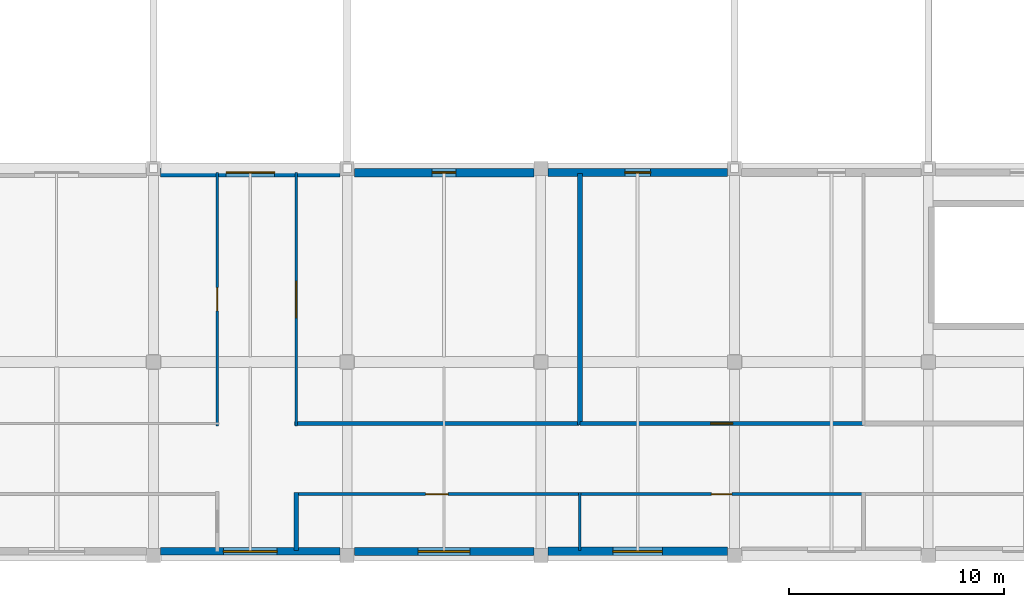
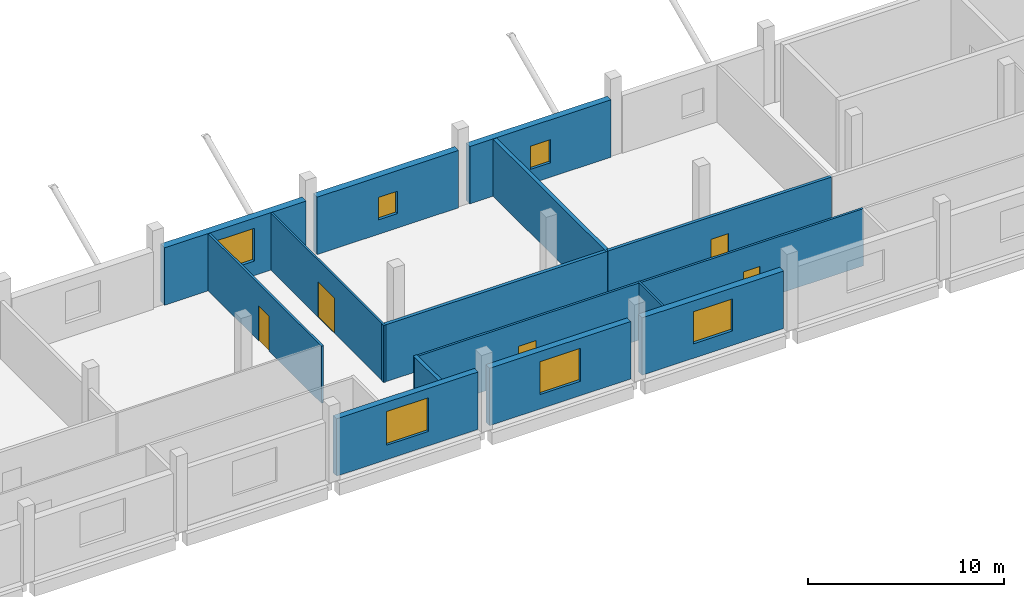
# One storey, part 49 of 82: 15 walls, 6 windows, 5 doors, 11 openings.
"""IFC4 building model written with IfcOpenShell, lengths in metres."""

import ifcopenshell
import ifcopenshell.guid

model = None  # the IFC model being written
_history = None  # IfcOwnerHistory: only IFC2X3 demands one
_inside = {}  # id of a spatial element -> (the spatial element, [elements in it])
_under = {}  # id of a project, library or spatial element -> (it, [spatial elements below it])
_declared = {}  # id of a project -> (the project, [libraries it declares])
_typed = {}  # id of a type object -> (the type object, [elements of that type])
_made_of = {}  # id of a material, layer set ... -> (it, [elements and type objects made of it])


def new_model(schema):
    """Start an empty IFC model of exactly this schema.

    Asked for "IFC4X3", IfcOpenShell would pick the latest addendum, in which some entities
    have other attributes; the version numbers below select the first issue.
    IFC2X3 requires an IfcOwnerHistory on every rooted entity: one is made here for all.
    """
    global model, _history
    if schema == "IFC4X3":
        model = ifcopenshell.file(schema_version=(4, 3, 0, 0))
    else:
        model = ifcopenshell.file(schema=schema)
    _inside.clear()
    _under.clear()
    _declared.clear()
    _typed.clear()
    _made_of.clear()
    _history = None
    if model.schema == "IFC2X3":
        org = make("IfcOrganization", Name="unknown")
        user = make(
            "IfcPersonAndOrganization",
            ThePerson=make("IfcPerson", FamilyName="unknown"),
            TheOrganization=org,
        )
        app = make(
            "IfcApplication",
            ApplicationDeveloper=org,
            Version="unknown",
            ApplicationFullName="unknown",
            ApplicationIdentifier="unknown",
        )
        _history = make(
            "IfcOwnerHistory",
            OwningUser=user,
            OwningApplication=app,
            ChangeAction="ADDED",
            CreationDate=0,
        )
    return model


def make(cls, **values):
    """One entity of the class cls with the attributes given. An attribute that is None is left unset."""
    return model.create_entity(
        cls, **{name: value for name, value in values.items() if value is not None}
    )


def rooted(cls, **values):
    """An entity with a GlobalId (a new one), such as an element, a storey or a relation."""
    return make(cls, GlobalId=ifcopenshell.guid.new(), OwnerHistory=_history, **values)


def si_unit(unit_type, name, prefix=None):
    """IfcSIUnit, for example si_unit("LENGTHUNIT", "METRE", prefix="MILLI")."""
    return make("IfcSIUnit", UnitType=unit_type, Prefix=prefix, Name=name)


def assignment(units):
    """IfcUnitAssignment: the units of a project."""
    return None if units is None else make("IfcUnitAssignment", Units=units)


def point(xyz):
    """IfcCartesianPoint."""
    return None if xyz is None else make("IfcCartesianPoint", Coordinates=xyz)


def direction(xyz):
    """IfcDirection."""
    return None if xyz is None else make("IfcDirection", DirectionRatios=xyz)


def frame(location, z_axis=None, x_axis=None):
    """IfcAxis2Placement3D, a coordinate frame: its origin and axes. An axis left out is left unset."""
    return make(
        "IfcAxis2Placement3D",
        Location=point(location),
        Axis=direction(z_axis),
        RefDirection=direction(x_axis),
    )


def frame_2d(location, x_axis=None):
    """IfcAxis2Placement2D, a coordinate frame in the plane: its origin and x axis."""
    return make(
        "IfcAxis2Placement2D", Location=point(location), RefDirection=direction(x_axis)
    )


def origin():
    """The frame at (0, 0, 0) with its axes left unset."""
    return frame((0.0, 0.0, 0.0))


def place(relative_to, where):
    """IfcLocalPlacement: puts the frame where relative to a parent placement (None: the world)."""
    return make(
        "IfcLocalPlacement", PlacementRelTo=relative_to, RelativePlacement=where
    )


def context(
    kind, dimensions, precision=None, world=None, true_north=None, identifier=None
):
    """IfcGeometricRepresentationContext, for example the 3D "Model" context."""
    return make(
        "IfcGeometricRepresentationContext",
        ContextIdentifier=identifier,
        ContextType=kind,
        CoordinateSpaceDimension=dimensions,
        Precision=precision,
        WorldCoordinateSystem=world,
        TrueNorth=true_north,
    )


def subcontext(parent, identifier, kind, view, scale=None):
    """IfcGeometricRepresentationSubContext, for example "Body" below "Model"."""
    return make(
        "IfcGeometricRepresentationSubContext",
        ContextIdentifier=identifier,
        ContextType=kind,
        ParentContext=parent,
        TargetScale=scale,
        TargetView=view,
    )


def project(units=None, contexts=None):
    """IfcProject with its units and contexts."""
    return rooted(
        "IfcProject",
        Name="project",
        RepresentationContexts=contexts,
        UnitsInContext=assignment(units),
    )


def spatial(cls, under=None, at=None, **own):
    """A site, building, storey or space (cls), placed at a placement, below another one or the project."""
    s = rooted(cls, ObjectPlacement=at, **own)
    if under is not None:
        _under.setdefault(under.id(), (under, []))[1].append(s)
    return s


def profile(cls, at=None, kind="AREA", **sizes):
    """A parametric profile (cls). Its sizes go by their IFC names, for example OverallWidth=200.0."""
    return make(cls, ProfileType=kind, Position=at, **sizes)


def rectangle(**sizes):
    """IfcRectangleProfileDef."""
    return profile("IfcRectangleProfileDef", **sizes)


def extrude(swept, where, along, depth):
    """IfcExtrudedAreaSolid: the profile swept, set in the frame where, extruded along a direction by depth."""
    return make(
        "IfcExtrudedAreaSolid",
        SweptArea=swept,
        Position=where,
        ExtrudedDirection=direction(along),
        Depth=depth,
    )


def shape(context_of_items, identifier, shape_type, items):
    """IfcShapeRepresentation: the items that make up one representation, for example the "Body"."""
    return make(
        "IfcShapeRepresentation",
        ContextOfItems=context_of_items,
        RepresentationIdentifier=identifier,
        RepresentationType=shape_type,
        Items=items,
    )


def material(Name=None, Category=None):
    """IfcMaterial."""
    return make("IfcMaterial", Name=Name, Category=Category)


def layer(
    of_material, thickness, ventilated=None, Name=None, Category=None, Priority=None
):
    """IfcMaterialLayer: one layer of a wall or slab, of a material (None: an air gap)."""
    return make(
        "IfcMaterialLayer",
        Material=of_material,
        LayerThickness=thickness,
        IsVentilated=ventilated,
        Name=Name,
        Category=Category,
        Priority=Priority,
    )


def layer_set(layers, Name=None):
    """IfcMaterialLayerSet."""
    return make("IfcMaterialLayerSet", MaterialLayers=layers, LayerSetName=Name)


def made_of(thing, what):
    """Note that an element or type object is made of a material, layer set ...; save() writes the relation."""
    if what is not None:
        _made_of.setdefault(what.id(), (what, []))[1].append(thing)
    return thing


def type_object(cls, material=None, **own):
    """A type object (cls), such as IfcWallType, which elements share."""
    return made_of(rooted(cls, **own), material)


def element(
    cls,
    number,
    at=None,
    inside=None,
    cuts=None,
    type_object=None,
    material=None,
    context=None,
    identifier="Body",
    shape_type=None,
    held_by="IfcProductDefinitionShape",
    body=None,
    shapes=None,
    **own,
):
    """One element of the class cls, such as IfcWall. Its Tag is "e" and its number.

    at: its placement. inside: the storey or other place that contains it. cuts: it is an
    opening in that element (IfcRelVoidsElement). A single representation is given by context,
    identifier, shape_type and body (its items); several are given by shapes. held_by: the class
    of the entity that holds the representations. save() writes the other relations.
    """
    e = rooted(cls, Tag="e%d" % number, ObjectPlacement=at, **own)
    if body is not None:
        shapes = [shape(context, identifier, shape_type, body)]
    if shapes is not None:
        e.Representation = make(held_by, Representations=shapes)
    if inside is not None:
        _inside.setdefault(inside.id(), (inside, []))[1].append(e)
    if cuts is not None:
        rooted(
            "IfcRelVoidsElement", RelatingBuildingElement=cuts, RelatedOpeningElement=e
        )
    if type_object is not None:
        _typed.setdefault(type_object.id(), (type_object, []))[1].append(e)
    return made_of(e, material)


def fill(opening, filler):
    """IfcRelFillsElement: the door or window that sits in an opening."""
    return rooted(
        "IfcRelFillsElement",
        RelatingOpeningElement=opening,
        RelatedBuildingElement=filler,
    )


def aggregate(whole, parts):
    """IfcRelAggregates: a whole, such as a stair, and the parts it consists of."""
    return rooted("IfcRelAggregates", RelatingObject=whole, RelatedObjects=parts)


def save(model, path):
    """Write the relations noted so far, then the file.

    IfcRelAggregates (storeys below a building ...), IfcRelContainedInSpatialStructure (elements
    in a storey), IfcRelDefinesByType, IfcRelAssociatesMaterial and IfcRelDeclares: one each for
    every whole, place, type object, material and project.
    """
    for whole, parts in _under.values():
        aggregate(whole, parts)
    for where, things in _inside.values():
        rooted(
            "IfcRelContainedInSpatialStructure",
            RelatedElements=things,
            RelatingStructure=where,
        )
    for kind, things in _typed.values():
        rooted("IfcRelDefinesByType", RelatedObjects=things, RelatingType=kind)
    for what, things in _made_of.values():
        rooted("IfcRelAssociatesMaterial", RelatedObjects=things, RelatingMaterial=what)
    for by, libraries in _declared.values():
        rooted("IfcRelDeclares", RelatingContext=by, RelatedDefinitions=libraries)
    model.write(path)


model = new_model("IFC4")

# Units and contexts
model_context = context("Model", 3, precision=1e-05, world=origin(), true_north=direction((0.0, 1.0)))
body_context = subcontext(model_context, "Body", "Model", "MODEL_VIEW")
ifc_project = project(units=[si_unit("LENGTHUNIT", "METRE"), si_unit("AREAUNIT", "SQUARE_METRE"), si_unit("VOLUMEUNIT", "CUBIC_METRE"), si_unit("PLANEANGLEUNIT", "RADIAN"), si_unit("MASSUNIT", "GRAM", prefix="KILO"), si_unit("THERMODYNAMICTEMPERATUREUNIT", "KELVIN"), si_unit("POWERUNIT", "WATT")], contexts=[model_context])

# Site, building, storey
site_placement = place(None, origin())
site = spatial("IfcSite", under=ifc_project, at=site_placement, CompositionType="ELEMENT")
building_placement = place(site_placement, origin())
building = spatial("IfcBuilding", under=site, at=building_placement, Name="Sindhuravela Promenade Stadium", CompositionType="ELEMENT")
storey_placement = place(building_placement, frame((0.0, 0.0, 14.39990234375)))
storey = spatial("IfcBuildingStorey", under=building, at=storey_placement, Name="L03", CompositionType="ELEMENT", Elevation=14.39990234375)

# Wall, opening, window
ifc_material_1 = material(Name="Terracotta clay brick masonry (15 MPa)", Category="masonry")
ifc_layer_1 = layer(ifc_material_1, 0.360107421875)
ifc_layer_set_1 = layer_set([ifc_layer_1], Name="Terracotta clay brick masonry (15 MPa)")
wall_type_1 = type_object("IfcWallType", Name="EX-WL-BRK360", PredefinedType="SOLIDWALL", material=ifc_layer_set_1)
wall_1_placement = place(storey_placement, frame((107.669921875, 9.199951171875, 0.0), z_axis=(0.0, 0.0, 1.0), x_axis=(-1.0, 0.0, 0.0)))
wall_1 = element("IfcWall", 1, at=wall_1_placement, inside=storey, type_object=wall_type_1, Name="Exterior masonry wall EW05 SOUTH L03", PredefinedType="SOLIDWALL", context=body_context, shape_type="SweptSolid", body=[
    extrude(rectangle(XDim=8.33984375, YDim=0.360107421875, at=frame_2d((4.169921875, 0.0))), origin(), (0.0, 0.0, 1.0), 3.580078125),
])
opening_1_placement = place(wall_1_placement, frame((2.919921875, 0.0, 0.89990234375)))
opening_1 = element("IfcOpeningElement", 2, at=opening_1_placement, cuts=wall_1, Name="Opening W15", PredefinedType="OPENING", context=body_context, shape_type="SweptSolid", body=[
    extrude(rectangle(XDim=2.5, YDim=2.10009765625, at=frame_2d((1.25, 1.050048828125))), frame((0.0, 0.18994140625, 0.0), z_axis=(0.0, -1.0, 0.0), x_axis=(1.0, 0.0, 0.0)), (0.0, 0.0, 1.0), 0.380126953125),
])
ifc_material_2 = material(Name="Tempered laminated low-E glass", Category="glass")
window_type_1 = type_object("IfcWindowType", Name="WN-FAC-2500x2100", PartitioningType="DOUBLE_PANEL_VERTICAL", PredefinedType="WINDOW", material=ifc_material_2)
window_1_placement = place(opening_1_placement, origin())
window_1 = element("IfcWindow", 3, at=window_1_placement, inside=storey, type_object=window_type_1, Name="Window W15 SOUTH L03", OverallHeight=2.10009765625, OverallWidth=2.5, PartitioningType="DOUBLE_PANEL_VERTICAL", PredefinedType="WINDOW", context=body_context, shape_type="SweptSolid", body=[
    extrude(rectangle(XDim=2.5, YDim=2.10009765625, at=frame_2d((1.25, 1.050048828125))), frame((0.0, 0.030029296875, 0.0), z_axis=(0.0, -1.0, 0.0), x_axis=(1.0, 0.0, 0.0)), (0.0, 0.0, 1.0), 0.06005859375),
])
fill(opening_1, window_1)

ifc_layer_2 = layer(ifc_material_1, 0.3798828125)
ifc_layer_set_2 = layer_set([ifc_layer_2], Name="Terracotta clay brick masonry (15 MPa)")
wall_type_2 = type_object("IfcWallType", Name="EX-WL-BRK380", PredefinedType="SOLIDWALL", material=ifc_layer_set_2)
wall_2_placement = place(storey_placement, frame((117.330078125, 26.800048828125, 0.0), z_axis=(0.0, 0.0, 1.0), x_axis=(1.0, 0.0, 0.0)))
wall_2 = element("IfcWall", 4, at=wall_2_placement, inside=storey, type_object=wall_type_2, Name="Exterior masonry wall EW04 SOUTH L03", PredefinedType="SOLIDWALL", context=body_context, shape_type="SweptSolid", body=[
    extrude(rectangle(XDim=8.33984375, YDim=0.3798828125, at=frame_2d((4.169921875, 0.0))), origin(), (0.0, 0.0, 1.0), 3.580078125),
])
opening_2_placement = place(wall_2_placement, frame((3.570068359375, 0.0, 0.89990234375)))
opening_2 = element("IfcOpeningElement", 5, at=opening_2_placement, cuts=wall_2, Name="Opening W02", PredefinedType="OPENING", context=body_context, shape_type="SweptSolid", body=[
    extrude(rectangle(XDim=1.199951171875, YDim=1.449951171875, at=frame_2d((0.60009765625, 0.72509765625))), frame((0.0, 0.199951171875, 0.0), z_axis=(0.0, -1.0, 0.0), x_axis=(1.0, 0.0, 0.0)), (0.0, 0.0, 1.0), 0.39990234375),
])
window_type_2 = type_object("IfcWindowType", Name="WN-FAC-1200x1450", PartitioningType="SINGLE_PANEL", PredefinedType="WINDOW", material=ifc_material_2)
window_2_placement = place(opening_2_placement, origin())
window_2 = element("IfcWindow", 6, at=window_2_placement, inside=storey, type_object=window_type_2, Name="Window W02 SOUTH L03", OverallHeight=1.449951171875, OverallWidth=1.199951171875, PartitioningType="SINGLE_PANEL", PredefinedType="WINDOW", context=body_context, shape_type="SweptSolid", body=[
    extrude(rectangle(XDim=1.199951171875, YDim=1.449951171875, at=frame_2d((0.60009765625, 0.72509765625))), frame((0.0, 0.030029296875, 0.0), z_axis=(0.0, -1.0, 0.0), x_axis=(1.0, 0.0, 0.0)), (0.0, 0.0, 1.0), 0.06005859375),
])
fill(opening_2, window_2)

wall_3_placement = place(storey_placement, frame((116.669921875, 9.199951171875, 0.0), z_axis=(0.0, 0.0, 1.0), x_axis=(-1.0, 0.0, 0.0)))
wall_3 = element("IfcWall", 7, at=wall_3_placement, inside=storey, type_object=wall_type_2, Name="Exterior masonry wall EW04 SOUTH L03", PredefinedType="SOLIDWALL", context=body_context, shape_type="SweptSolid", body=[
    extrude(rectangle(XDim=8.33984375, YDim=0.3798828125, at=frame_2d((4.169921875, 0.0))), origin(), (0.0, 0.0, 1.0), 3.580078125),
])
opening_3_placement = place(wall_3_placement, frame((2.969970703125, 0.0, 0.89990234375)))
opening_3 = element("IfcOpeningElement", 8, at=opening_3_placement, cuts=wall_3, Name="Opening W14", PredefinedType="OPENING", context=body_context, shape_type="SweptSolid", body=[
    extrude(rectangle(XDim=2.39990234375, YDim=2.050048828125, at=frame_2d((1.199951171875, 1.02490234375))), frame((0.0, 0.199951171875, 0.0), z_axis=(0.0, -1.0, 0.0), x_axis=(1.0, 0.0, 0.0)), (0.0, 0.0, 1.0), 0.39990234375),
])
window_type_3 = type_object("IfcWindowType", Name="WN-FAC-2400x2050", PartitioningType="DOUBLE_PANEL_VERTICAL", PredefinedType="WINDOW", material=ifc_material_2)
window_3_placement = place(opening_3_placement, origin())
window_3 = element("IfcWindow", 9, at=window_3_placement, inside=storey, type_object=window_type_3, Name="Window W14 SOUTH L03", OverallHeight=2.050048828125, OverallWidth=2.39990234375, PartitioningType="DOUBLE_PANEL_VERTICAL", PredefinedType="WINDOW", context=body_context, shape_type="SweptSolid", body=[
    extrude(rectangle(XDim=2.39990234375, YDim=2.050048828125, at=frame_2d((1.199951171875, 1.02490234375))), frame((0.0, 0.030029296875, 0.0), z_axis=(0.0, -1.0, 0.0), x_axis=(1.0, 0.0, 0.0)), (0.0, 0.0, 1.0), 0.06005859375),
])
fill(opening_3, window_3)

ifc_layer_3 = layer(ifc_material_1, 0.39990234375)
ifc_layer_set_3 = layer_set([ifc_layer_3], Name="Terracotta clay brick masonry (15 MPa)")
wall_type_3 = type_object("IfcWallType", Name="EX-WL-BRK400", PredefinedType="SOLIDWALL", material=ifc_layer_set_3)
wall_4_placement = place(storey_placement, frame((108.330078125, 26.800048828125, 0.0), z_axis=(0.0, 0.0, 1.0), x_axis=(1.0, 0.0, 0.0)))
wall_4 = element("IfcWall", 10, at=wall_4_placement, inside=storey, type_object=wall_type_3, Name="Exterior masonry wall EW03 SOUTH L03", PredefinedType="SOLIDWALL", context=body_context, shape_type="SweptSolid", body=[
    extrude(rectangle(XDim=8.33984375, YDim=0.39990234375, at=frame_2d((4.169921875, 0.0))), origin(), (0.0, 0.0, 1.0), 3.580078125),
])
opening_4_placement = place(wall_4_placement, frame((3.6201171875, 0.0, 0.89990234375)))
opening_4 = element("IfcOpeningElement", 11, at=opening_4_placement, cuts=wall_4, Name="Opening W01", PredefinedType="OPENING", context=body_context, shape_type="SweptSolid", body=[
    extrude(rectangle(XDim=1.10009765625, YDim=1.39990234375, at=frame_2d((0.550048828125, 0.699951171875))), frame((0.0, 0.2099609375, 0.0), z_axis=(0.0, -1.0, 0.0), x_axis=(1.0, 0.0, 0.0)), (0.0, 0.0, 1.0), 0.419921875),
])
window_type_4 = type_object("IfcWindowType", Name="WN-FAC-1100x1400", PartitioningType="SINGLE_PANEL", PredefinedType="WINDOW", material=ifc_material_2)
window_4_placement = place(opening_4_placement, origin())
window_4 = element("IfcWindow", 12, at=window_4_placement, inside=storey, type_object=window_type_4, Name="Window W01 SOUTH L03", OverallHeight=1.39990234375, OverallWidth=1.10009765625, PartitioningType="SINGLE_PANEL", PredefinedType="WINDOW", context=body_context, shape_type="SweptSolid", body=[
    extrude(rectangle(XDim=1.10009765625, YDim=1.39990234375, at=frame_2d((0.550048828125, 0.699951171875))), frame((0.0, 0.030029296875, 0.0), z_axis=(0.0, -1.0, 0.0), x_axis=(1.0, 0.0, 0.0)), (0.0, 0.0, 1.0), 0.06005859375),
])
fill(opening_4, window_4)

wall_5_placement = place(storey_placement, frame((125.669921875, 9.199951171875, 0.0), z_axis=(0.0, 0.0, 1.0), x_axis=(-1.0, 0.0, 0.0)))
wall_5 = element("IfcWall", 13, at=wall_5_placement, inside=storey, type_object=wall_type_3, Name="Exterior masonry wall EW03 SOUTH L03", PredefinedType="SOLIDWALL", context=body_context, shape_type="SweptSolid", body=[
    extrude(rectangle(XDim=8.33984375, YDim=0.39990234375, at=frame_2d((4.169921875, 0.0))), origin(), (0.0, 0.0, 1.0), 3.580078125),
])
opening_5_placement = place(wall_5_placement, frame((3.02001953125, 0.0, 0.89990234375)))
opening_5 = element("IfcOpeningElement", 14, at=opening_5_placement, cuts=wall_5, Name="Opening W13", PredefinedType="OPENING", context=body_context, shape_type="SweptSolid", body=[
    extrude(rectangle(XDim=2.300048828125, YDim=2.0, at=frame_2d((1.14990234375, 1.0))), frame((0.0, 0.2099609375, 0.0), z_axis=(0.0, -1.0, 0.0), x_axis=(1.0, 0.0, 0.0)), (0.0, 0.0, 1.0), 0.419921875),
])
window_type_5 = type_object("IfcWindowType", Name="WN-FAC-2300x2000", PartitioningType="DOUBLE_PANEL_VERTICAL", PredefinedType="WINDOW", material=ifc_material_2)
window_5_placement = place(opening_5_placement, origin())
window_5 = element("IfcWindow", 15, at=window_5_placement, inside=storey, type_object=window_type_5, Name="Window W13 SOUTH L03", OverallHeight=2.0, OverallWidth=2.300048828125, PartitioningType="DOUBLE_PANEL_VERTICAL", PredefinedType="WINDOW", context=body_context, shape_type="SweptSolid", body=[
    extrude(rectangle(XDim=2.300048828125, YDim=2.0, at=frame_2d((1.14990234375, 1.0))), frame((0.0, 0.030029296875, 0.0), z_axis=(0.0, -1.0, 0.0), x_axis=(1.0, 0.0, 0.0)), (0.0, 0.0, 1.0), 0.06005859375),
])
fill(opening_5, window_5)

ifc_layer_4 = layer(ifc_material_1, 0.419921875)
ifc_layer_set_4 = layer_set([ifc_layer_4], Name="Terracotta clay brick masonry (15 MPa)")
wall_type_4 = type_object("IfcWallType", Name="EX-WL-BRK420", PredefinedType="SOLIDWALL", material=ifc_layer_set_4)
wall_6_placement = place(storey_placement, frame((99.330078125, 26.800048828125, 0.0), z_axis=(0.0, 0.0, 1.0), x_axis=(1.0, 0.0, 0.0)))
wall_6 = element("IfcWall", 16, at=wall_6_placement, inside=storey, type_object=wall_type_4, Name="Exterior masonry wall EW02 SOUTH L03", PredefinedType="SOLIDWALL", context=body_context, shape_type="SweptSolid", body=[
    extrude(rectangle(XDim=8.33984375, YDim=0.419921875, at=frame_2d((4.169921875, 0.0))), origin(), (0.0, 0.0, 1.0), 3.580078125),
])
opening_6_placement = place(wall_6_placement, frame((3.044921875, 0.0, 0.89990234375)))
opening_6 = element("IfcOpeningElement", 17, at=opening_6_placement, cuts=wall_6, Name="Opening W30", PredefinedType="OPENING", context=body_context, shape_type="SweptSolid", body=[
    extrude(rectangle(XDim=2.25, YDim=2.050048828125, at=frame_2d((1.125, 1.02490234375))), frame((0.0, 0.219970703125, 0.0), z_axis=(0.0, -1.0, 0.0), x_axis=(1.0, 0.0, 0.0)), (0.0, 0.0, 1.0), 0.43994140625),
])
window_type_6 = type_object("IfcWindowType", Name="WN-FAC-2250x2050", PartitioningType="DOUBLE_PANEL_VERTICAL", PredefinedType="WINDOW", material=ifc_material_2)
window_6_placement = place(opening_6_placement, origin())
window_6 = element("IfcWindow", 18, at=window_6_placement, inside=storey, type_object=window_type_6, Name="Window W30 SOUTH L03", OverallHeight=2.050048828125, OverallWidth=2.25, PartitioningType="DOUBLE_PANEL_VERTICAL", PredefinedType="WINDOW", context=body_context, shape_type="SweptSolid", body=[
    extrude(rectangle(XDim=2.25, YDim=2.050048828125, at=frame_2d((1.125, 1.02490234375))), frame((0.0, 0.030029296875, 0.0), z_axis=(0.0, -1.0, 0.0), x_axis=(1.0, 0.0, 0.0)), (0.0, 0.0, 1.0), 0.06005859375),
])
fill(opening_6, window_6)

# Wall, opening, door
ifc_material_3 = material(Name="Fire-rated gypsum partition board", Category="gypsum")
ifc_layer_5 = layer(ifc_material_3, 0.110107421875)
ifc_layer_set_5 = layer_set([ifc_layer_5], Name="Fire-rated gypsum partition board")
wall_type_5 = type_object("IfcWallType", Name="IN-WL-PAR110", PredefinedType="PARTITIONING", material=ifc_layer_set_5)
wall_7_placement = place(storey_placement, frame((105.639892578125, 26.800048828125, 0.0), z_axis=(0.0, 0.0, 1.0), x_axis=(0.0, -1.0, 0.0)))
wall_7 = element("IfcWall", 19, at=wall_7_placement, inside=storey, type_object=wall_type_5, Name="Corridor partition IW06 South Community Lecture Hall", PredefinedType="PARTITIONING", context=body_context, shape_type="SweptSolid", body=[
    extrude(rectangle(XDim=11.780029296875, YDim=0.110107421875, at=frame_2d((5.89013671875, 0.0))), origin(), (0.0, 0.0, 1.0), 3.56005859375),
])
opening_7_placement = place(wall_7_placement, frame((5.0400390625, 0.0, 0.0)))
opening_7 = element("IfcOpeningElement", 20, at=opening_7_placement, cuts=wall_7, Name="Opening ID01", PredefinedType="OPENING", context=body_context, shape_type="SweptSolid", body=[
    extrude(rectangle(XDim=1.699951171875, YDim=2.199951171875, at=frame_2d((0.85009765625, 1.10009765625))), frame((0.0, 0.06494140625, 0.0), z_axis=(0.0, -1.0, 0.0), x_axis=(1.0, 0.0, 0.0)), (0.0, 0.0, 1.0), 0.130126953125),
])
ifc_material_4 = material(Name="Architectural teak timber leaf", Category="wood")
door_type_1 = type_object("IfcDoorType", Name="DR-INT-1700x2200", OperationType="DOUBLE_DOOR_SINGLE_SWING", PredefinedType="DOOR", material=ifc_material_4)
door_1_placement = place(opening_7_placement, origin())
door_1 = element("IfcDoor", 21, at=door_1_placement, inside=storey, type_object=door_type_1, Name="South Community Lecture Hall door", OperationType="DOUBLE_DOOR_SINGLE_SWING", OverallHeight=2.199951171875, OverallWidth=1.699951171875, PredefinedType="DOOR", context=body_context, shape_type="SweptSolid", body=[
    extrude(rectangle(XDim=1.699951171875, YDim=2.199951171875, at=frame_2d((0.85009765625, 1.10009765625))), frame((0.0, 0.02490234375, 0.0), z_axis=(0.0, -1.0, 0.0), x_axis=(1.0, 0.0, 0.0)), (0.0, 0.0, 1.0), 0.050048828125),
])
fill(opening_7, door_1)

# Wall
wall_8_placement = place(storey_placement, frame((118.813232421875, 11.93994140625, 0.0), z_axis=(0.0, 0.0, 1.0), x_axis=(0.0, -1.0, 0.0)))
element("IfcWall", 22, at=wall_8_placement, inside=storey, type_object=wall_type_5, Name="Interior partition IW06 SOUTH L03", PredefinedType="PARTITIONING", context=body_context, shape_type="SweptSolid", body=[
    extrude(rectangle(XDim=2.699951171875, YDim=0.110107421875, at=frame_2d((1.35009765625, 0.0))), origin(), (0.0, 0.0, 1.0), 3.56005859375),
])

# Wall, opening, door
ifc_layer_6 = layer(ifc_material_3, 0.1298828125)
ifc_layer_set_6 = layer_set([ifc_layer_6], Name="Fire-rated gypsum partition board")
wall_type_6 = type_object("IfcWallType", Name="IN-WL-PAR130", PredefinedType="PARTITIONING", material=ifc_layer_set_6)
wall_9_placement = place(storey_placement, frame((101.9599609375, 15.02001953125, 0.0), z_axis=(0.0, 0.0, 1.0), x_axis=(0.0, 1.0, 0.0)))
wall_9 = element("IfcWall", 23, at=wall_9_placement, inside=storey, type_object=wall_type_6, Name="Corridor partition IW05 Civic Sports Heritage Room", PredefinedType="PARTITIONING", context=body_context, shape_type="SweptSolid", body=[
    extrude(rectangle(XDim=11.780029296875, YDim=0.1298828125, at=frame_2d((5.89013671875, 0.0))), origin(), (0.0, 0.0, 1.0), 3.56005859375),
])
opening_8_placement = place(wall_9_placement, frame((5.35009765625, 0.0, 0.0)))
opening_8 = element("IfcOpeningElement", 24, at=opening_8_placement, cuts=wall_9, Name="Opening ID12", PredefinedType="OPENING", context=body_context, shape_type="SweptSolid", body=[
    extrude(rectangle(XDim=1.080078125, YDim=2.179931640625, at=frame_2d((0.5400390625, 1.08984375))), frame((0.0, 0.074951171875, 0.0), z_axis=(0.0, -1.0, 0.0), x_axis=(1.0, 0.0, 0.0)), (0.0, 0.0, 1.0), 0.14990234375),
])
door_type_2 = type_object("IfcDoorType", Name="DR-INT-1080x2180", OperationType="NOTDEFINED", PredefinedType="DOOR", material=ifc_material_4)
door_2_placement = place(opening_8_placement, origin())
door_2 = element("IfcDoor", 25, at=door_2_placement, inside=storey, type_object=door_type_2, Name="Civic Sports Heritage Room door", OperationType="SINGLE_SWING_RIGHT", OverallHeight=2.179931640625, OverallWidth=1.080078125, PredefinedType="DOOR", context=body_context, shape_type="SweptSolid", body=[
    extrude(rectangle(XDim=1.080078125, YDim=2.179931640625, at=frame_2d((0.5400390625, 1.08984375))), frame((0.0, 0.02490234375, 0.0), z_axis=(0.0, -1.0, 0.0), x_axis=(1.0, 0.0, 0.0)), (0.0, 0.0, 1.0), 0.050048828125),
])
fill(opening_8, door_2)

wall_10_placement = place(storey_placement, frame((118.813232421875, 11.860107421875, 0.0), z_axis=(0.0, 0.0, 1.0), x_axis=(-1.0, 0.0, 0.0)))
wall_10 = element("IfcWall", 26, at=wall_10_placement, inside=storey, type_object=wall_type_6, Name="Corridor partition IW05 Civic Sports Heritage Room 4", PredefinedType="PARTITIONING", context=body_context, shape_type="SweptSolid", body=[
    extrude(rectangle(XDim=13.293212890625, YDim=0.1298828125, at=frame_2d((6.646484375, 0.0))), origin(), (0.0, 0.0, 1.0), 3.56005859375),
])
opening_9_placement = place(wall_10_placement, frame((6.12158203125, 0.0, 0.0)))
opening_9 = element("IfcOpeningElement", 27, at=opening_9_placement, cuts=wall_10, Name="Opening ID07", PredefinedType="OPENING", context=body_context, shape_type="SweptSolid", body=[
    extrude(rectangle(XDim=1.050048828125, YDim=2.10009765625, at=frame_2d((0.52490234375, 1.050048828125))), frame((0.0, 0.074951171875, 0.0), z_axis=(0.0, -1.0, 0.0), x_axis=(1.0, 0.0, 0.0)), (0.0, 0.0, 1.0), 0.14990234375),
])
door_type_3 = type_object("IfcDoorType", Name="DR-INT-1050x2100", OperationType="NOTDEFINED", PredefinedType="DOOR", material=ifc_material_4)
door_3_placement = place(opening_9_placement, origin())
door_3 = element("IfcDoor", 28, at=door_3_placement, inside=storey, type_object=door_type_3, Name="Civic Sports Heritage Room 4 door", OperationType="SINGLE_SWING_LEFT", OverallHeight=2.10009765625, OverallWidth=1.050048828125, PredefinedType="DOOR", context=body_context, shape_type="SweptSolid", body=[
    extrude(rectangle(XDim=1.050048828125, YDim=2.10009765625, at=frame_2d((0.52490234375, 1.050048828125))), frame((0.0, 0.02490234375, 0.0), z_axis=(0.0, -1.0, 0.0), x_axis=(1.0, 0.0, 0.0)), (0.0, 0.0, 1.0), 0.050048828125),
])
fill(opening_9, door_3)

wall_11_placement = place(storey_placement, frame((131.98681640625, 11.860107421875, 0.0), z_axis=(0.0, 0.0, 1.0), x_axis=(-1.0, 0.0, 0.0)))
wall_11 = element("IfcWall", 29, at=wall_11_placement, inside=storey, type_object=wall_type_6, Name="Corridor partition IW05 Public Toilet Block South L03 6", PredefinedType="PARTITIONING", context=body_context, shape_type="SweptSolid", body=[
    extrude(rectangle(XDim=13.173583984375, YDim=0.1298828125, at=frame_2d((6.5869140625, 0.0))), origin(), (0.0, 0.0, 1.0), 3.56005859375),
])
opening_10_placement = place(wall_11_placement, frame((6.11181640625, 0.0, 0.0)))
opening_10 = element("IfcOpeningElement", 30, at=opening_10_placement, cuts=wall_11, Name="Opening ID09", PredefinedType="OPENING", context=body_context, shape_type="SweptSolid", body=[
    extrude(rectangle(XDim=0.949951171875, YDim=2.10009765625, at=frame_2d((0.47509765625, 1.050048828125))), frame((0.0, 0.074951171875, 0.0), z_axis=(0.0, -1.0, 0.0), x_axis=(1.0, 0.0, 0.0)), (0.0, 0.0, 1.0), 0.14990234375),
])
door_type_4 = type_object("IfcDoorType", Name="DR-INT-950x2100", OperationType="NOTDEFINED", PredefinedType="DOOR", material=ifc_material_4)
door_4_placement = place(opening_10_placement, origin())
door_4 = element("IfcDoor", 31, at=door_4_placement, inside=storey, type_object=door_type_4, Name="Public Toilet Block South L03 6 door", OperationType="SINGLE_SWING_LEFT", OverallHeight=2.10009765625, OverallWidth=0.949951171875, PredefinedType="DOOR", context=body_context, shape_type="SweptSolid", body=[
    extrude(rectangle(XDim=0.949951171875, YDim=2.10009765625, at=frame_2d((0.47509765625, 1.050048828125))), frame((0.0, 0.02490234375, 0.0), z_axis=(0.0, -1.0, 0.0), x_axis=(1.0, 0.0, 0.0)), (0.0, 0.0, 1.0), 0.050048828125),
])
fill(opening_10, door_4)

ifc_layer_7 = layer(ifc_material_3, 0.175048828125)
ifc_layer_set_7 = layer_set([ifc_layer_7], Name="Fire-rated gypsum partition board")
wall_type_7 = type_object("IfcWallType", Name="IN-WL-PAR175", PredefinedType="PARTITIONING", material=ifc_layer_set_7)
wall_12_placement = place(storey_placement, frame((118.813232421875, 15.139892578125, 0.0), z_axis=(0.0, 0.0, 1.0), x_axis=(1.0, 0.0, 0.0)))
wall_12 = element("IfcWall", 32, at=wall_12_placement, inside=storey, type_object=wall_type_7, Name="Corridor partition IW03 South Upper Concourse Lounge", PredefinedType="PARTITIONING", context=body_context, shape_type="SweptSolid", body=[
    extrude(rectangle(XDim=13.173583984375, YDim=0.175048828125, at=frame_2d((6.5869140625, 0.0))), origin(), (0.0, 0.0, 1.0), 3.56005859375),
])
opening_11_placement = place(wall_12_placement, frame((6.07666015625, 0.0, 0.0)))
opening_11 = element("IfcOpeningElement", 33, at=opening_11_placement, cuts=wall_12, Name="Opening ID11", PredefinedType="OPENING", context=body_context, shape_type="SweptSolid", body=[
    extrude(rectangle(XDim=1.02001953125, YDim=2.159912109375, at=frame_2d((0.510009765625, 1.080078125))), frame((0.0, 0.097412109375, 0.0), z_axis=(0.0, -1.0, 0.0), x_axis=(1.0, 0.0, 0.0)), (0.0, 0.0, 1.0), 0.195068359375),
])
door_type_5 = type_object("IfcDoorType", Name="DR-INT-1020x2160", OperationType="NOTDEFINED", PredefinedType="DOOR", material=ifc_material_4)
door_5_placement = place(opening_11_placement, origin())
door_5 = element("IfcDoor", 34, at=door_5_placement, inside=storey, type_object=door_type_5, Name="South Upper Concourse Lounge door", OperationType="SINGLE_SWING_LEFT", OverallHeight=2.159912109375, OverallWidth=1.02001953125, PredefinedType="DOOR", context=body_context, shape_type="SweptSolid", body=[
    extrude(rectangle(XDim=1.02001953125, YDim=2.159912109375, at=frame_2d((0.510009765625, 1.080078125))), frame((0.0, 0.02490234375, 0.0), z_axis=(0.0, -1.0, 0.0), x_axis=(1.0, 0.0, 0.0)), (0.0, 0.0, 1.0), 0.050048828125),
])
fill(opening_11, door_5)

# Walls
ifc_layer_8 = layer(ifc_material_3, 0.195068359375)
ifc_layer_set_8 = layer_set([ifc_layer_8], Name="Fire-rated gypsum partition board")
wall_type_8 = type_object("IfcWallType", Name="IN-WL-PAR195", PredefinedType="PARTITIONING", material=ifc_layer_set_8)
wall_13_placement = place(storey_placement, frame((118.773193359375, 15.139892578125, 0.0), z_axis=(0.0, 0.0, 1.0), x_axis=(-1.0, 0.0, 0.0)))
element("IfcWall", 35, at=wall_13_placement, inside=storey, type_object=wall_type_8, Name="Interior partition IW02 SOUTH L03", PredefinedType="PARTITIONING", context=body_context, shape_type="SweptSolid", body=[
    extrude(rectangle(XDim=13.213134765625, YDim=0.195068359375, at=frame_2d((6.6064453125, 0.0))), origin(), (0.0, 0.0, 1.0), 3.56005859375),
])
ifc_layer_9 = layer(ifc_material_3, 0.219970703125)
ifc_layer_set_9 = layer_set([ifc_layer_9], Name="Fire-rated gypsum partition board")
wall_type_9 = type_object("IfcWallType", Name="IN-WL-PAR220", PredefinedType="PARTITIONING", material=ifc_layer_set_9)
wall_14_placement = place(storey_placement, frame((118.813232421875, 26.760009765625, 0.0), z_axis=(0.0, 0.0, 1.0), x_axis=(0.0, -1.0, 0.0)))
element("IfcWall", 36, at=wall_14_placement, inside=storey, type_object=wall_type_9, Name="Interior partition IW01 SOUTH L03", PredefinedType="PARTITIONING", context=body_context, shape_type="SweptSolid", body=[
    extrude(rectangle(XDim=11.699951171875, YDim=0.219970703125, at=frame_2d((5.85009765625, 0.0))), origin(), (0.0, 0.0, 1.0), 3.56005859375),
])
wall_15_placement = place(storey_placement, frame((105.639892578125, 9.239990234375, 0.0), z_axis=(0.0, 0.0, 1.0), x_axis=(0.0, 1.0, 0.0)))
element("IfcWall", 37, at=wall_15_placement, inside=storey, type_object=wall_type_9, Name="Interior partition IW01 SOUTH L03", PredefinedType="PARTITIONING", context=body_context, shape_type="SweptSolid", body=[
    extrude(rectangle(XDim=2.699951171875, YDim=0.219970703125, at=frame_2d((1.35009765625, 0.0))), origin(), (0.0, 0.0, 1.0), 3.56005859375),
])

save(model, "model.ifc")
